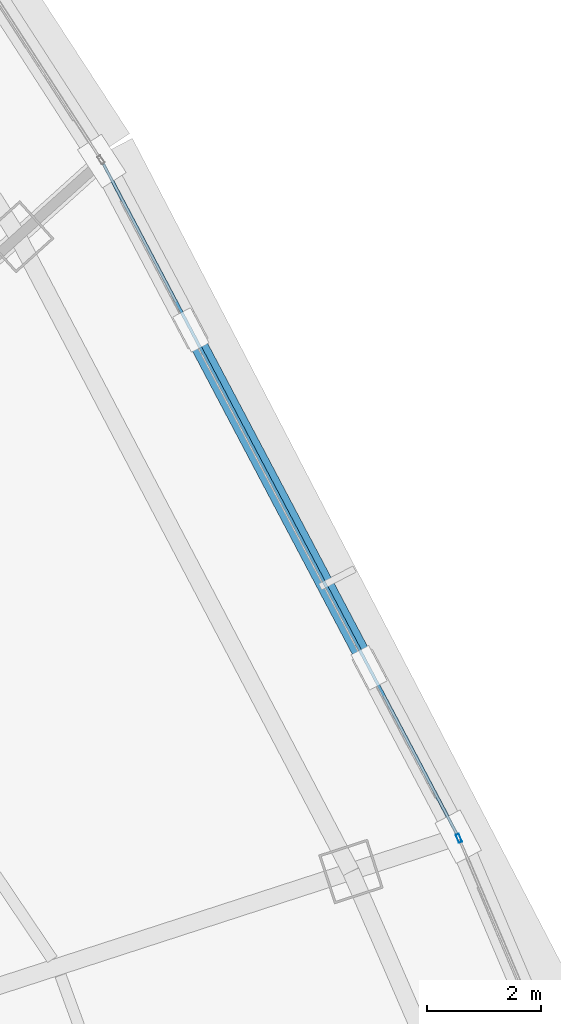
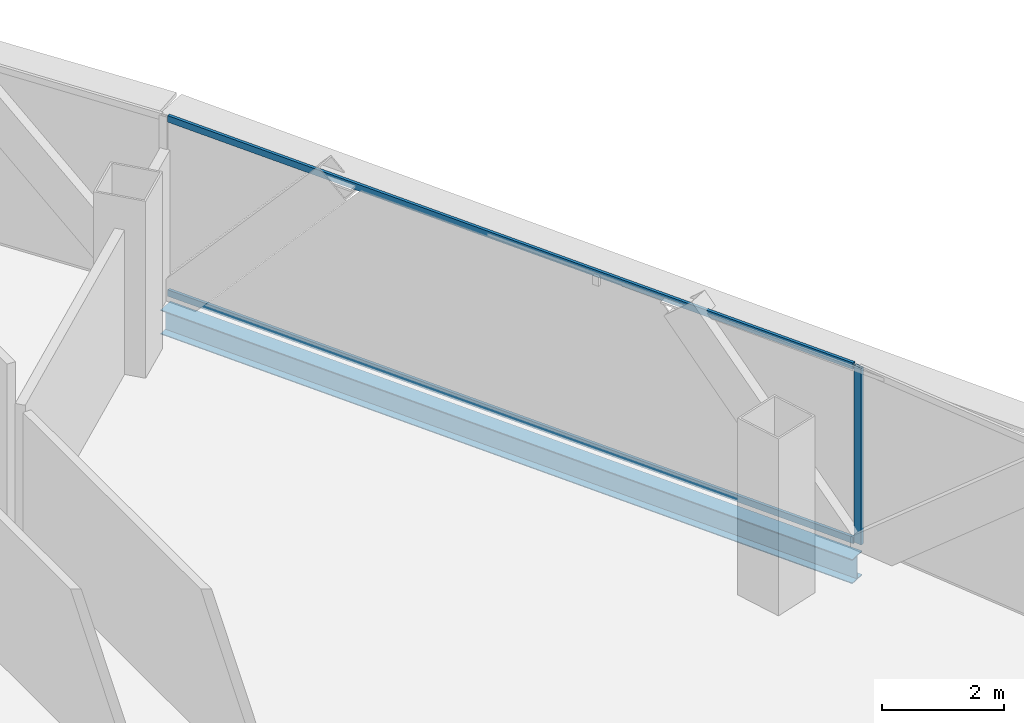
# One storey, part 26 of 37: 3 members, 1 beam, 2 elements without a shape of their own.
"""IFC4 building model written with IfcOpenShell, lengths in metres."""

from ifc_helpers import new_model, si_unit, direction, frame, origin, origin_2d, place, context, subcontext, project, spatial, hollow_rectangle, i_section, extrude, source, transform, mapped, material, layer, layer_set, material_profile, profile_set, type_object, element, aggregate, save


model = new_model("IFC4")

# Units and contexts
model_context = context("Model", 3, precision=1e-05, world=origin(), true_north=direction((0.0, 1.0)))
body_context = subcontext(model_context, "Body", "Model", "MODEL_VIEW")
ifc_project = project(units=[si_unit("LENGTHUNIT", "METRE"), si_unit("AREAUNIT", "SQUARE_METRE"), si_unit("VOLUMEUNIT", "CUBIC_METRE"), si_unit("PLANEANGLEUNIT", "RADIAN"), si_unit("MASSUNIT", "GRAM", prefix="KILO"), si_unit("THERMODYNAMICTEMPERATUREUNIT", "KELVIN"), si_unit("POWERUNIT", "WATT")], contexts=[model_context])

# Site, building, storey
site_placement = place(None, origin())
site = spatial("IfcSite", under=ifc_project, at=site_placement, CompositionType="ELEMENT")
building_placement = place(site_placement, origin())
building = spatial("IfcBuilding", under=site, at=building_placement, Name="Yunzhuo Pagoda Commons", CompositionType="ELEMENT")
storey_placement = place(building_placement, frame((0.0, 0.0, 192.360107421875)))
storey = spatial("IfcBuildingStorey", under=building, at=storey_placement, Name="L48", CompositionType="ELEMENT", Elevation=192.360107421875)

# Beam
ifc_material_1 = material(Name="Structural steel Q355B", Category="steel")
ifc_material_profile_1 = material_profile(ifc_material_1, i_section(OverallWidth=0.300048828125, OverallDepth=0.488037109375, WebThickness=0.010986328125, FlangeThickness=0.01806640625, at=origin_2d()), Name="Structural steel Q355B")
ifc_profile_set_1 = profile_set([ifc_material_profile_1], Name="Structural steel Q355B")
beam_type = type_object("IfcBeamType", Name="B-SP1 Beam HM 488x300x11x18", PredefinedType="BEAM", material=ifc_profile_set_1)
shared_shape_1 = source(origin(), body_context, "Body", "SweptSolid", [
    extrude(i_section(OverallWidth=0.300048828125, OverallDepth=0.488037109375, WebThickness=0.010986328125, FlangeThickness=0.01806640625, at=origin_2d()), origin(), (0.0, 0.0, 1.0), 13.399658203125),
])
beam_placement = place(storey_placement, frame((78.376220703125, 43.56982421875, -0.504150390625), z_axis=(-0.466573749972, 0.884482298204, 0.0), x_axis=(-0.884482298204, -0.466573749972, 0.0)))
element("IfcBeam", 1, at=beam_placement, inside=storey, type_object=beam_type, Name="L48 facade edge spandrel beam F2.2", PredefinedType="BEAM", context=body_context, shape_type="MappedRepresentation", body=[
    mapped(shared_shape_1, transform((0.0, 0.0, 0.0), scale=1.0)),
])

# Curtain wall, member
ifc_material_2 = material(Name="Anodized aluminium 6063-T6", Category="aluminium")
ifc_layer = layer(ifc_material_2, 0.14990234375)
ifc_layer_set = layer_set([ifc_layer], Name="Anodized aluminium 6063-T6")
curtain_wall_type = type_object("IfcCurtainWallType", Name="CW-MID Mid-Zone Ribbon Curtain Wall", PredefinedType="NOTDEFINED", material=ifc_layer_set)
curtain_wall_1_placement = place(storey_placement, origin())
curtain_wall_1 = element("IfcCurtainWall", 2, at=curtain_wall_1_placement, inside=storey, type_object=curtain_wall_type, Name="L48 curtain wall CW-L48-F2B2", PredefinedType="NOTDEFINED")
ifc_material_profile_2 = material_profile(ifc_material_2, hollow_rectangle(XDim=0.06005859375, YDim=0.14990234375, WallThickness=0.00390625, at=origin_2d()), Name="Anodized aluminium 6063-T6")
ifc_profile_set_2 = profile_set([ifc_material_profile_2], Name="Anodized aluminium 6063-T6")
member_type_1 = type_object("IfcMemberType", Name="CW-MID-M Mullion RHS 150x60x4", PredefinedType="MULLION", material=ifc_profile_set_2)
shared_shape_2 = source(origin(), body_context, "Body", "SweptSolid", [
    extrude(hollow_rectangle(XDim=0.06005859375, YDim=0.14990234375, WallThickness=0.00390625, at=origin_2d()), origin(), (0.0, 0.0, 1.0), 3.539794921875),
])
member_1_placement = place(storey_placement, frame((78.38818359375, 43.542236328125, 0.0), z_axis=(0.0, 0.0, 1.0), x_axis=(-0.920666607247, -0.390349840912, 0.0)))
member_1 = element("IfcMember", 3, at=member_1_placement, type_object=member_type_1, Name="CW mullion 2", PredefinedType="MULLION", context=body_context, shape_type="MappedRepresentation", body=[
    mapped(shared_shape_2, transform((0.0, 0.0, 0.0), scale=1.0)),
])
aggregate(curtain_wall_1, [member_1])

# Curtain wall, members
curtain_wall_2_placement = place(storey_placement, origin())
curtain_wall_2 = element("IfcCurtainWall", 4, at=curtain_wall_2_placement, inside=storey, type_object=curtain_wall_type, Name="L48 curtain wall CW-L48-F2B3", PredefinedType="NOTDEFINED")
ifc_material_profile_3 = material_profile(ifc_material_2, hollow_rectangle(XDim=0.054931640625, YDim=0.1298828125, WallThickness=0.00341796875, at=origin_2d()), Name="Anodized aluminium 6063-T6")
ifc_profile_set_3 = profile_set([ifc_material_profile_3], Name="Anodized aluminium 6063-T6")
member_type_2 = type_object("IfcMemberType", Name="CW-MID-T Transom RHS 130x55x3.5", PredefinedType="USERDEFINED", material=ifc_profile_set_3)
shared_shape_3 = source(origin(), body_context, "Body", "SweptSolid", [
    extrude(hollow_rectangle(XDim=0.054931640625, YDim=0.1298828125, WallThickness=0.00341796875, at=origin_2d()), origin(), (0.0, 0.0, 1.0), 13.280029296875),
])
member_2_placement = place(storey_placement, frame((78.348388671875, 43.622802734375, 0.02734375), z_axis=(-0.46657288103, 0.88448275658, 0.0), x_axis=(-0.88448275658, -0.46657288103, 0.0)))
member_2 = element("IfcMember", 5, at=member_2_placement, type_object=member_type_2, Name="CW transom 1.1", ObjectType="TRANSOM", PredefinedType="USERDEFINED", context=body_context, shape_type="MappedRepresentation", body=[
    mapped(shared_shape_3, transform((0.0, 0.0, 0.0), scale=1.0)),
])
member_3_placement = place(storey_placement, frame((78.348388671875, 43.622802734375, 3.512451171875), z_axis=(-0.46657288103, 0.88448275658, 0.0), x_axis=(-0.88448275658, -0.46657288103, 0.0)))
member_3 = element("IfcMember", 6, at=member_3_placement, type_object=member_type_2, Name="CW transom 1.2", ObjectType="TRANSOM", PredefinedType="USERDEFINED", context=body_context, shape_type="MappedRepresentation", body=[
    mapped(shared_shape_3, transform((0.0, 0.0, 0.0), scale=1.0)),
])
aggregate(curtain_wall_2, [member_2, member_3])

save(model, "model.ifc")
